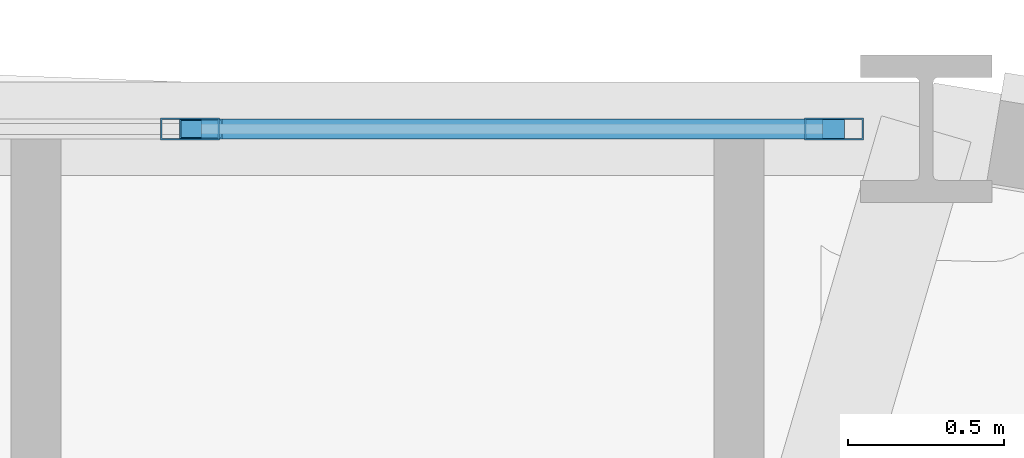
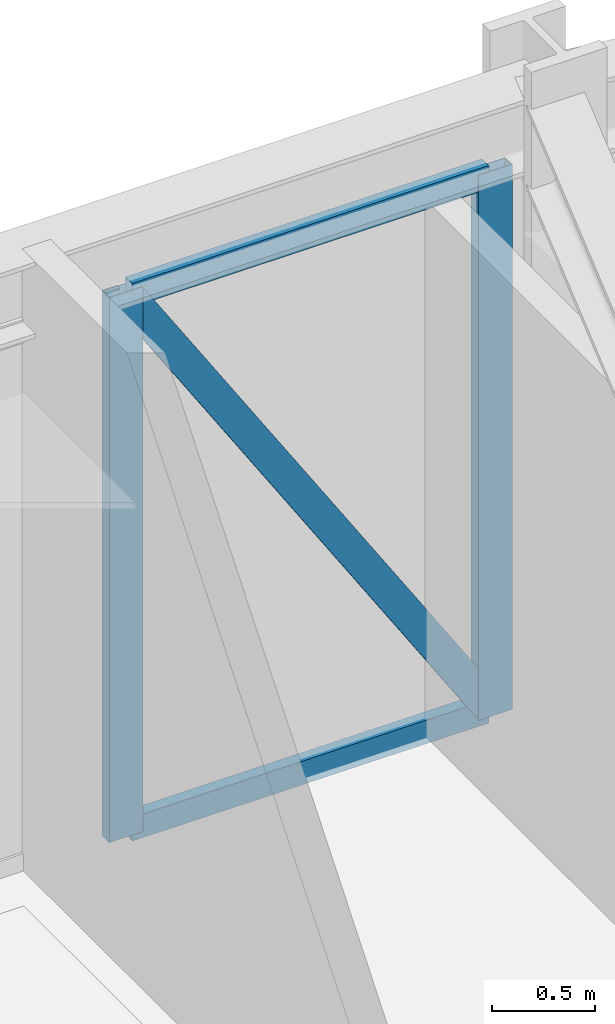
# One storey, part 12 of 21: 5 members, 1 element without a shape of its own.
"""IFC4 building model written with IfcOpenShell, lengths in metres."""

from ifc_helpers import new_model, si_unit, derived_unit, direction, frame, origin, origin_2d, place, context, subcontext, project, spatial, hollow_rectangle, extrude, source, transform, mapped, material, layer, layer_set, material_profile, profile_set, type_object, element, aggregate, save


model = new_model("IFC4")

# Units and contexts
model_context = context("Model", 3, precision=1e-05, world=origin(), true_north=direction((0.0, 1.0)))
body_context = subcontext(model_context, "Body", "Model", "MODEL_VIEW")
ifc_project = project(units=[si_unit("LENGTHUNIT", "METRE"), si_unit("AREAUNIT", "SQUARE_METRE"), si_unit("VOLUMEUNIT", "CUBIC_METRE"), si_unit("PLANEANGLEUNIT", "RADIAN"), si_unit("MASSUNIT", "GRAM", prefix="KILO"), derived_unit("THERMALTRANSMITTANCEUNIT", [(si_unit("POWERUNIT", "WATT"), 1), (si_unit("LENGTHUNIT", "METRE"), -2), (si_unit("THERMODYNAMICTEMPERATUREUNIT", "KELVIN"), -1)])], contexts=[model_context])

# Site, building, storey
site_placement = place(None, origin())
site = spatial("IfcSite", under=ifc_project, at=site_placement, CompositionType="ELEMENT")
building_placement = place(site_placement, origin())
building = spatial("IfcBuilding", under=site, at=building_placement, Name="Korsvarv Bourse and Concert Hall", CompositionType="ELEMENT")
storey_placement = place(building_placement, frame((0.0, 0.0, 63.89990234375)))
storey = spatial("IfcBuildingStorey", under=building, at=storey_placement, Name="L15", CompositionType="ELEMENT", Elevation=63.89990234375)

# Curtain wall, members
ifc_material_1 = material(Name="Anodised aluminium and triple low-E glazing", Category="glass")
ifc_layer = layer(ifc_material_1, 0.219970703125)
ifc_layer_set = layer_set([ifc_layer], Name="Anodised aluminium and triple low-E glazing")
curtain_wall_type = type_object("IfcCurtainWallType", Name="CW-SYS-1", PredefinedType="NOTDEFINED", material=ifc_layer_set)
curtain_wall_placement = place(storey_placement, origin())
curtain_wall = element("IfcCurtainWall", 1, at=curtain_wall_placement, inside=storey, type_object=curtain_wall_type, Name="L15 CW1 curtain wall CW-L15-F03", PredefinedType="NOTDEFINED")
ifc_material_2 = material(Name="Extruded aluminium EN AW-6063 T66", Category="aluminium")
ifc_material_profile_1 = material_profile(ifc_material_2, hollow_rectangle(XDim=0.070068359375, YDim=0.18994140625, WallThickness=0.0048828125, at=origin_2d()), Name="ALU-M 70x190")
ifc_profile_set_1 = profile_set([ifc_material_profile_1], Name="Extruded aluminium EN AW-6063 T66")
member_type_1 = type_object("IfcMemberType", Name="CWM-190", PredefinedType="MULLION", material=ifc_profile_set_1)
shared_shape_1 = source(origin(), body_context, "Body", "SweptSolid", [
    extrude(hollow_rectangle(XDim=0.070068359375, YDim=0.18994140625, WallThickness=0.0048828125, at=origin_2d()), origin(), (0.0, 0.0, 1.0), 3.22998046875),
])
member_1_placement = place(storey_placement, frame((47.52978515625, 56.376708984375, 0.0), z_axis=(0.0, 0.0, 1.0), x_axis=(0.0, -1.0, 0.0)))
member_1 = element("IfcMember", 2, at=member_1_placement, type_object=member_type_1, Name="CW1 mullion 1", PredefinedType="MULLION", context=body_context, shape_type="MappedRepresentation", body=[
    mapped(shared_shape_1, transform((0.0, 0.0, 0.0), scale=1.0)),
])
member_2_placement = place(storey_placement, frame((45.46044921875, 56.376708984375, 0.0), z_axis=(0.0, 0.0, 1.0), x_axis=(0.0, -1.0, 0.0)))
member_2 = element("IfcMember", 3, at=member_2_placement, type_object=member_type_1, Name="CW1 mullion 2", PredefinedType="MULLION", context=body_context, shape_type="MappedRepresentation", body=[
    mapped(shared_shape_1, transform((0.0, 0.0, 0.0), scale=1.0)),
])
ifc_material_profile_2 = material_profile(ifc_material_2, hollow_rectangle(XDim=0.06494140625, YDim=0.139892578125, WallThickness=0.00390625, at=origin_2d()), Name="ALU-T 65x140")
ifc_profile_set_2 = profile_set([ifc_material_profile_2], Name="Extruded aluminium EN AW-6063 T66")
member_type_2 = type_object("IfcMemberType", Name="CWT-140", PredefinedType="USERDEFINED", material=ifc_profile_set_2)
shared_shape_2 = source(origin(), body_context, "Body", "SweptSolid", [
    extrude(hollow_rectangle(XDim=0.06494140625, YDim=0.139892578125, WallThickness=0.00390625, at=origin_2d()), origin(), (0.0, 0.0, 1.0), 1.9990234375),
])
member_3_placement = place(storey_placement, frame((47.49462890625, 56.376708984375, 0.03271484375), z_axis=(-1.0, 0.0, 0.0), x_axis=(0.0, -1.0, 0.0)))
member_3 = element("IfcMember", 4, at=member_3_placement, type_object=member_type_2, Name="CW1 transom 1.1", ObjectType="TRANSOM", PredefinedType="USERDEFINED", context=body_context, shape_type="MappedRepresentation", body=[
    mapped(shared_shape_2, transform((0.0, 0.0, 0.0), scale=1.0)),
])
member_4_placement = place(storey_placement, frame((47.49462890625, 56.376708984375, 3.197509765625), z_axis=(-1.0, 0.0, 0.0), x_axis=(0.0, -1.0, 0.0)))
member_4 = element("IfcMember", 5, at=member_4_placement, type_object=member_type_2, Name="CW1 transom 1.2", ObjectType="TRANSOM", PredefinedType="USERDEFINED", context=body_context, shape_type="MappedRepresentation", body=[
    mapped(shared_shape_2, transform((0.0, 0.0, 0.0), scale=1.0)),
])
ifc_material_profile_3 = material_profile(ifc_material_2, hollow_rectangle(XDim=0.06494140625, YDim=0.1650390625, WallThickness=0.0048828125, at=origin_2d()), Name="ALU-M 65x165")
ifc_profile_set_3 = profile_set([ifc_material_profile_3], Name="Extruded aluminium EN AW-6063 T66")
member_type_3 = type_object("IfcMemberType", Name="CWM-165", PredefinedType="MULLION", material=ifc_profile_set_3)
shared_shape_3 = source(origin(), body_context, "Body", "SweptSolid", [
    extrude(hollow_rectangle(XDim=0.06494140625, YDim=0.1650390625, WallThickness=0.0048828125, at=origin_2d()), origin(), (0.0, 0.0, 1.0), 3.6884765625),
])
member_5_placement = place(storey_placement, frame((47.49462890625, 56.376708984375, 0.065185546875), z_axis=(-0.541958005639, 0.0, 0.840405568832), x_axis=(0.0, -1.0, 0.0)))
member_5 = element("IfcMember", 6, at=member_5_placement, type_object=member_type_3, Name="CW1 diagonal mullion 1", PredefinedType="MULLION", context=body_context, shape_type="MappedRepresentation", body=[
    mapped(shared_shape_3, transform((0.0, 0.0, 0.0), scale=1.0)),
])
aggregate(curtain_wall, [member_1, member_2, member_3, member_4, member_5])

save(model, "model.ifc")
